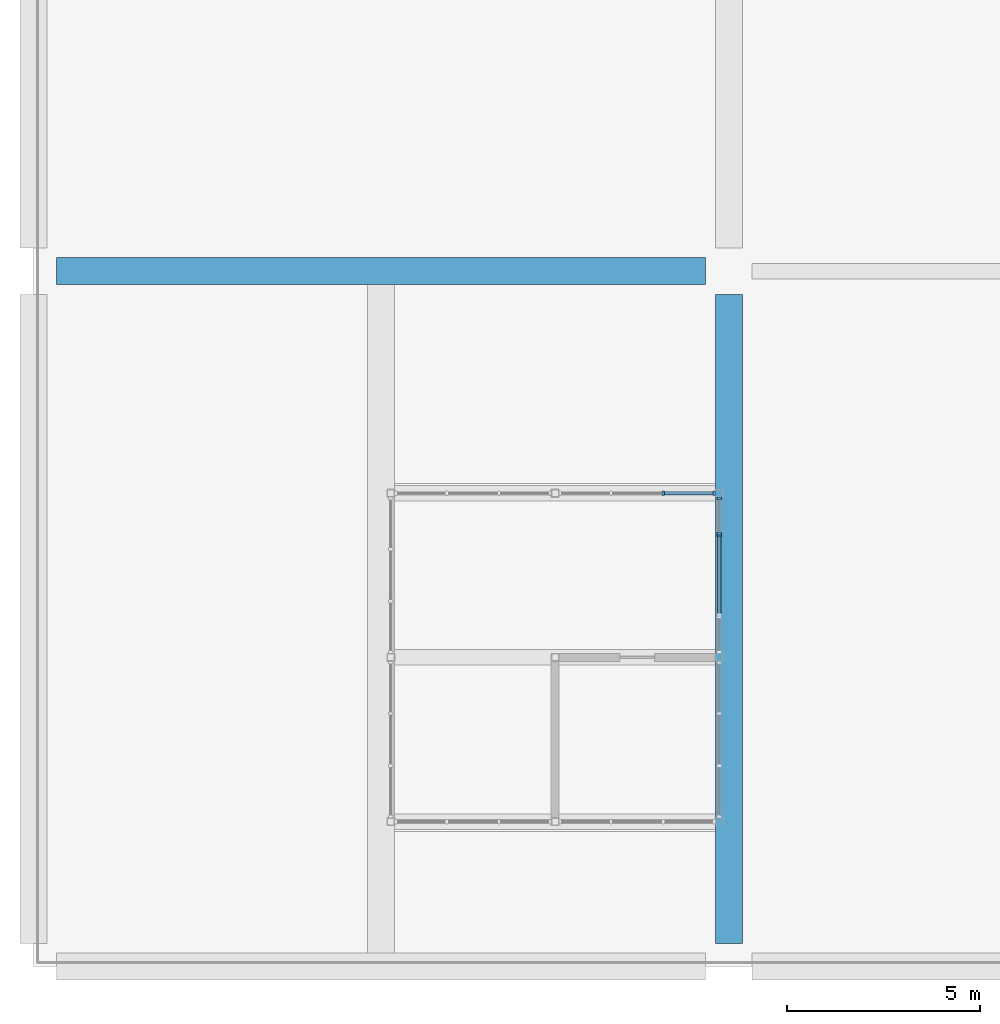
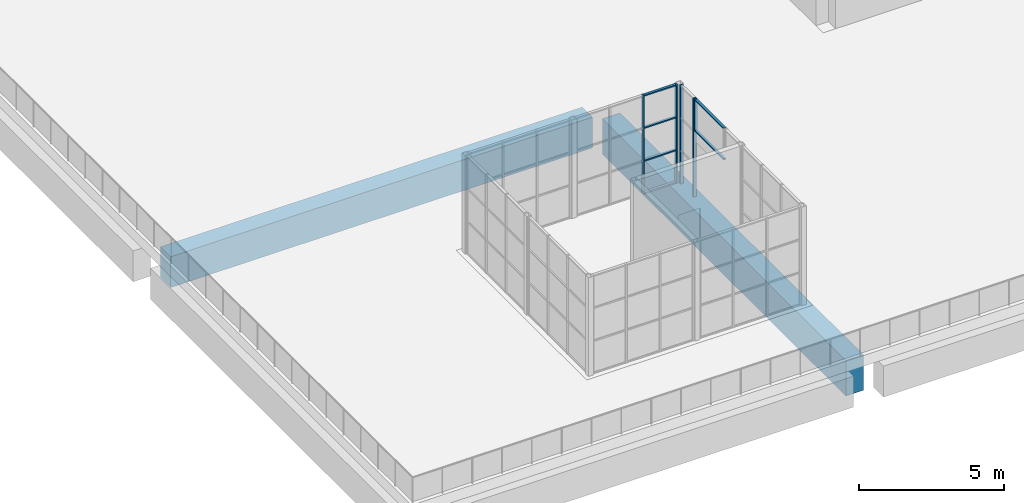
# One storey, part 15 of 168: 11 members, 2 beams, 3 elements without a shape of their own.
"""IFC4 building model written with IfcOpenShell, lengths in metres."""

from ifc_helpers import new_model, si_unit, direction, frame, origin, origin_2d, place, context, subcontext, project, spatial, rectangle, extrude, material, material_profile, profile_set, type_object, element, aggregate, save


model = new_model("IFC4")

# Units and contexts
model_context = context("Model", 3, precision=1e-05, world=origin(), true_north=direction((0.0, 1.0)))
body_context = subcontext(model_context, "Body", "Model", "MODEL_VIEW")
ifc_project = project(units=[si_unit("LENGTHUNIT", "METRE"), si_unit("AREAUNIT", "SQUARE_METRE"), si_unit("VOLUMEUNIT", "CUBIC_METRE"), si_unit("PLANEANGLEUNIT", "RADIAN"), si_unit("MASSUNIT", "GRAM", prefix="KILO")], contexts=[model_context])

# Site, building, storey
site_placement = place(None, origin())
site = spatial("IfcSite", under=ifc_project, at=site_placement, CompositionType="ELEMENT")
building_placement = place(site_placement, origin())
building = spatial("IfcBuilding", under=site, at=building_placement, Name="Silverbay Arena", CompositionType="ELEMENT")
storey_placement = place(building_placement, frame((0.0, 0.0, 7.0)))
storey = spatial("IfcBuildingStorey", under=building, at=storey_placement, Name="L01", CompositionType="ELEMENT", Elevation=7.0)

# Curtain wall, members
ifc_material_1 = material(Name="Aluminium framed curtain wall", Category="aluminium")
curtain_wall_type_1 = type_object("IfcCurtainWallType", Name="Curtain wall 4050 x 4150", PredefinedType="NOTDEFINED", material=ifc_material_1)
curtain_wall_1_placement = place(storey_placement, origin())
curtain_wall_1 = element("IfcCurtainWall", 1, at=curtain_wall_1_placement, inside=storey, type_object=curtain_wall_type_1, Name="Pavilion north curtain wall 2", PredefinedType="NOTDEFINED")
ifc_material_2 = material(Name="Aluminium", Category="aluminium")
ifc_material_profile_1 = material_profile(ifc_material_2, rectangle(XDim=0.1201171875, YDim=0.06005859375, at=origin_2d()), Name="Mullion 60 x 120")
ifc_profile_set_1 = profile_set([ifc_material_profile_1], Name="Aluminium")
member_type_1 = type_object("IfcMemberType", Name="Mullion 60 x 120", PredefinedType="MULLION", material=ifc_profile_set_1)
member_1_placement = place(storey_placement, frame((16.300048828125, 12.25, 0.0), z_axis=(0.0, 0.0, 1.0), x_axis=(0.0, 1.0, 0.0)))
member_1 = element("IfcMember", 2, at=member_1_placement, type_object=member_type_1, Name="CW21 mullion 3", PredefinedType="MULLION", context=body_context, shape_type="SweptSolid", body=[
    extrude(rectangle(XDim=0.1201171875, YDim=0.06005859375, at=origin_2d()), origin(), (0.0, 0.0, 1.0), 4.14990234375),
])
member_2_placement = place(storey_placement, frame((17.6201171875, 12.25, 0.0), z_axis=(0.0, 0.0, 1.0), x_axis=(0.0, 1.0, 0.0)))
member_2 = element("IfcMember", 3, at=member_2_placement, type_object=member_type_1, Name="CW21 mullion 4", PredefinedType="MULLION", context=body_context, shape_type="SweptSolid", body=[
    extrude(rectangle(XDim=0.1201171875, YDim=0.06005859375, at=origin_2d()), origin(), (0.0, 0.0, 1.0), 4.14990234375),
])

ifc_material_3 = material(Name="Aluminium framed curtain wall", Category="aluminium")
curtain_wall_type_2 = type_object("IfcCurtainWallType", Name="Curtain wall 975 x 4150", PredefinedType="NOTDEFINED", material=ifc_material_3)
curtain_wall_2_placement = place(storey_placement, origin())
curtain_wall_2 = element("IfcCurtainWall", 4, at=curtain_wall_2_placement, inside=storey, type_object=curtain_wall_type_2, Name="Pavilion east curtain wall 3", PredefinedType="NOTDEFINED")
member_3_placement = place(storey_placement, frame((17.75, 11.205078125, 0.0), z_axis=(0.0, 0.0, 1.0), x_axis=(-1.0, 0.0, 0.0)))
member_3 = element("IfcMember", 5, at=member_3_placement, type_object=member_type_1, Name="CW22 mullion 1", PredefinedType="MULLION", context=body_context, shape_type="SweptSolid", body=[
    extrude(rectangle(XDim=0.1201171875, YDim=0.06005859375, at=origin_2d()), origin(), (0.0, 0.0, 1.0), 4.14990234375),
])
member_4_placement = place(storey_placement, frame((17.75, 12.1201171875, 0.0), z_axis=(0.0, 0.0, 1.0), x_axis=(-1.0, 0.0, 0.0)))
member_4 = element("IfcMember", 6, at=member_4_placement, type_object=member_type_1, Name="CW22 mullion 2", PredefinedType="MULLION", context=body_context, shape_type="SweptSolid", body=[
    extrude(rectangle(XDim=0.1201171875, YDim=0.06005859375, at=origin_2d()), origin(), (0.0, 0.0, 1.0), 4.14990234375),
])
aggregate(curtain_wall_2, [member_3, member_4])

# Curtain wall, member
ifc_material_4 = material(Name="Aluminium framed curtain wall", Category="aluminium")
curtain_wall_type_3 = type_object("IfcCurtainWallType", Name="Curtain wall 2100 x 1350", PredefinedType="NOTDEFINED", material=ifc_material_4)
curtain_wall_3_placement = place(storey_placement, origin())
curtain_wall_3 = element("IfcCurtainWall", 7, at=curtain_wall_3_placement, inside=storey, type_object=curtain_wall_type_3, Name="Pavilion east curtain wall 4", PredefinedType="NOTDEFINED")
member_5_placement = place(storey_placement, frame((17.75, 11.14501953125, 2.800048828125), z_axis=(0.0, 0.0, 1.0), x_axis=(-1.0, 0.0, 0.0)))
member_5 = element("IfcMember", 8, at=member_5_placement, type_object=member_type_1, Name="CW23 mullion 2", PredefinedType="MULLION", context=body_context, shape_type="SweptSolid", body=[
    extrude(rectangle(XDim=0.1201171875, YDim=0.06005859375, at=origin_2d()), origin(), (0.0, 0.0, 1.0), 1.349853515625),
])

# Beams
ifc_material_5 = material(Name="Concrete Grade C45", Category="concrete")
ifc_material_profile_2 = material_profile(ifc_material_5, rectangle(XDim=0.699951171875, YDim=1.300048828125, at=origin_2d()), Name="RC 700x1300")
ifc_profile_set_2 = profile_set([ifc_material_profile_2], Name="Concrete Grade C45")
beam_type_1 = type_object("IfcBeamType", Name="RC girder 700x1300", PredefinedType="BEAM", material=ifc_profile_set_2)
beam_1_placement = place(storey_placement, frame((0.60009765625, 18.0, -1.10009765625), z_axis=(1.0, 0.0, 0.0), x_axis=(0.0, 1.0, 0.0)))
element("IfcBeam", 9, at=beam_1_placement, inside=storey, type_object=beam_type_1, Name="Deck row beam 067", PredefinedType="BEAM", context=body_context, shape_type="SweptSolid", body=[
    extrude(rectangle(XDim=0.699951171875, YDim=1.300048828125, at=origin_2d()), origin(), (0.0, 0.0, 1.0), 16.7998046875),
])
ifc_material_6 = material(Name="Concrete Grade C45", Category="concrete")
ifc_material_profile_3 = material_profile(ifc_material_6, rectangle(XDim=0.699951171875, YDim=1.5, at=origin_2d()), Name="RC 700x1500")
ifc_profile_set_3 = profile_set([ifc_material_profile_3], Name="Concrete Grade C45")
beam_type_2 = type_object("IfcBeamType", Name="RC pavilion girder 700x1500", PredefinedType="BEAM", material=ifc_profile_set_3)
beam_2_placement = place(storey_placement, frame((18.0, 0.60009765625, -1.199951171875), z_axis=(0.0, 1.0, 0.0), x_axis=(-1.0, 0.0, 0.0)))
element("IfcBeam", 10, at=beam_2_placement, inside=storey, type_object=beam_type_2, Name="Deck girder 139", PredefinedType="BEAM", context=body_context, shape_type="SweptSolid", body=[
    extrude(rectangle(XDim=0.699951171875, YDim=1.5, at=origin_2d()), origin(), (0.0, 0.0, 1.0), 16.7998046875),
])

# Member
ifc_material_7 = material(Name="Aluminium", Category="aluminium")
ifc_material_profile_4 = material_profile(ifc_material_7, rectangle(XDim=0.10009765625, YDim=0.050048828125, at=origin_2d()), Name="Transom 50 x 100")
ifc_profile_set_4 = profile_set([ifc_material_profile_4], Name="Aluminium")
member_type_2 = type_object("IfcMemberType", Name="Transom 50 x 100", PredefinedType="USERDEFINED", material=ifc_profile_set_4)
member_6_placement = place(storey_placement, frame((16.330078125, 12.25, 0.02490234375), z_axis=(1.0, 0.0, 0.0), x_axis=(0.0, 1.0, 0.0)))
member_6 = element("IfcMember", 11, at=member_6_placement, type_object=member_type_2, Name="CW21 transom 3.1", ObjectType="TRANSOM", PredefinedType="USERDEFINED", context=body_context, shape_type="SweptSolid", body=[
    extrude(rectangle(XDim=0.10009765625, YDim=0.050048828125, at=origin_2d()), origin(), (0.0, 0.0, 1.0), 1.260009765625),
])

member_7_placement = place(storey_placement, frame((16.330078125, 12.25, 1.38330078125), z_axis=(1.0, 0.0, 0.0), x_axis=(0.0, 1.0, 0.0)))
member_7 = element("IfcMember", 12, at=member_7_placement, type_object=member_type_2, Name="CW21 transom 3.2", ObjectType="TRANSOM", PredefinedType="USERDEFINED", context=body_context, shape_type="SweptSolid", body=[
    extrude(rectangle(XDim=0.10009765625, YDim=0.050048828125, at=origin_2d()), origin(), (0.0, 0.0, 1.0), 1.260009765625),
])

member_8_placement = place(storey_placement, frame((16.330078125, 12.25, 2.7666015625), z_axis=(1.0, 0.0, 0.0), x_axis=(0.0, 1.0, 0.0)))
member_8 = element("IfcMember", 13, at=member_8_placement, type_object=member_type_2, Name="CW21 transom 3.3", ObjectType="TRANSOM", PredefinedType="USERDEFINED", context=body_context, shape_type="SweptSolid", body=[
    extrude(rectangle(XDim=0.10009765625, YDim=0.050048828125, at=origin_2d()), origin(), (0.0, 0.0, 1.0), 1.260009765625),
])

member_9_placement = place(storey_placement, frame((16.330078125, 12.25, 4.125), z_axis=(1.0, 0.0, 0.0), x_axis=(0.0, 1.0, 0.0)))
member_9 = element("IfcMember", 14, at=member_9_placement, type_object=member_type_2, Name="CW21 transom 3.4", ObjectType="TRANSOM", PredefinedType="USERDEFINED", context=body_context, shape_type="SweptSolid", body=[
    extrude(rectangle(XDim=0.10009765625, YDim=0.050048828125, at=origin_2d()), origin(), (0.0, 0.0, 1.0), 1.260009765625),
])

aggregate(curtain_wall_1, [member_1, member_2, member_6, member_7, member_8, member_9])

member_10_placement = place(storey_placement, frame((17.75, 9.135009765625, 2.824951171875), z_axis=(0.0, 1.0, 0.0), x_axis=(-1.0, 0.0, 0.0)))
member_10 = element("IfcMember", 15, at=member_10_placement, type_object=member_type_2, Name="CW23 transom 1.1", ObjectType="TRANSOM", PredefinedType="USERDEFINED", context=body_context, shape_type="SweptSolid", body=[
    extrude(rectangle(XDim=0.10009765625, YDim=0.050048828125, at=origin_2d()), origin(), (0.0, 0.0, 1.0), 1.97998046875),
])

member_11_placement = place(storey_placement, frame((17.75, 9.135009765625, 4.125), z_axis=(0.0, 1.0, 0.0), x_axis=(-1.0, 0.0, 0.0)))
member_11 = element("IfcMember", 16, at=member_11_placement, type_object=member_type_2, Name="CW23 transom 1.2", ObjectType="TRANSOM", PredefinedType="USERDEFINED", context=body_context, shape_type="SweptSolid", body=[
    extrude(rectangle(XDim=0.10009765625, YDim=0.050048828125, at=origin_2d()), origin(), (0.0, 0.0, 1.0), 1.97998046875),
])

aggregate(curtain_wall_3, [member_5, member_10, member_11])

save(model, "model.ifc")
